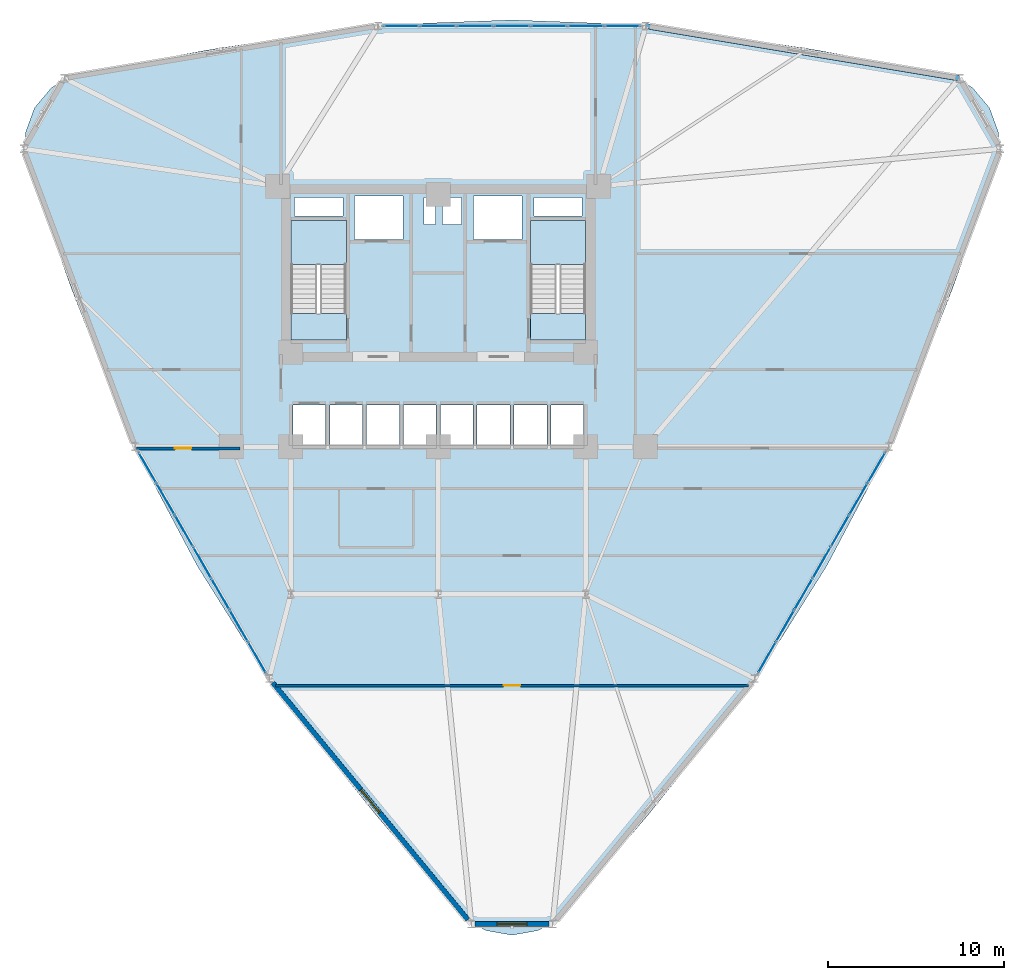
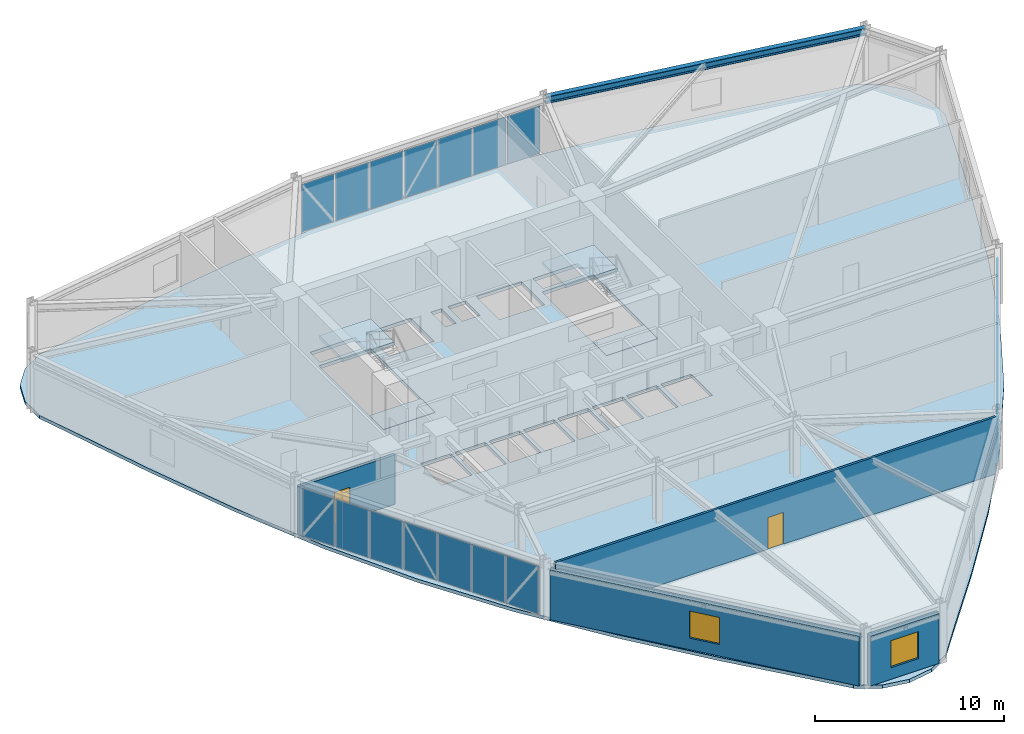
# One storey, part 13 of 20: 21 plates, 5 slabs, 4 walls, 2 doors, 2 windows, 1 beam, 4 openings, 5 elements without a shape of their own.
"""IFC4 building model written with IfcOpenShell, lengths in metres."""

import ifcopenshell
import ifcopenshell.guid

model = None  # the IFC model being written
_history = None  # IfcOwnerHistory: only IFC2X3 demands one
_inside = {}  # id of a spatial element -> (the spatial element, [elements in it])
_under = {}  # id of a project, library or spatial element -> (it, [spatial elements below it])
_declared = {}  # id of a project -> (the project, [libraries it declares])
_typed = {}  # id of a type object -> (the type object, [elements of that type])
_made_of = {}  # id of a material, layer set ... -> (it, [elements and type objects made of it])


def new_model(schema):
    """Start an empty IFC model of exactly this schema.

    Asked for "IFC4X3", IfcOpenShell would pick the latest addendum, in which some entities
    have other attributes; the version numbers below select the first issue.
    IFC2X3 requires an IfcOwnerHistory on every rooted entity: one is made here for all.
    """
    global model, _history
    if schema == "IFC4X3":
        model = ifcopenshell.file(schema_version=(4, 3, 0, 0))
    else:
        model = ifcopenshell.file(schema=schema)
    _inside.clear()
    _under.clear()
    _declared.clear()
    _typed.clear()
    _made_of.clear()
    _history = None
    if model.schema == "IFC2X3":
        org = make("IfcOrganization", Name="unknown")
        user = make(
            "IfcPersonAndOrganization",
            ThePerson=make("IfcPerson", FamilyName="unknown"),
            TheOrganization=org,
        )
        app = make(
            "IfcApplication",
            ApplicationDeveloper=org,
            Version="unknown",
            ApplicationFullName="unknown",
            ApplicationIdentifier="unknown",
        )
        _history = make(
            "IfcOwnerHistory",
            OwningUser=user,
            OwningApplication=app,
            ChangeAction="ADDED",
            CreationDate=0,
        )
    return model


def make(cls, **values):
    """One entity of the class cls with the attributes given. An attribute that is None is left unset."""
    return model.create_entity(
        cls, **{name: value for name, value in values.items() if value is not None}
    )


def rooted(cls, **values):
    """An entity with a GlobalId (a new one), such as an element, a storey or a relation."""
    return make(cls, GlobalId=ifcopenshell.guid.new(), OwnerHistory=_history, **values)


def si_unit(unit_type, name, prefix=None):
    """IfcSIUnit, for example si_unit("LENGTHUNIT", "METRE", prefix="MILLI")."""
    return make("IfcSIUnit", UnitType=unit_type, Prefix=prefix, Name=name)


def derived_unit(unit_type, elements):
    """IfcDerivedUnit: a product of units, each with its exponent."""
    return make(
        "IfcDerivedUnit",
        Elements=[
            make("IfcDerivedUnitElement", Unit=unit, Exponent=power)
            for unit, power in elements
        ],
        UnitType=unit_type,
    )


def assignment(units):
    """IfcUnitAssignment: the units of a project."""
    return None if units is None else make("IfcUnitAssignment", Units=units)


def point(xyz):
    """IfcCartesianPoint."""
    return None if xyz is None else make("IfcCartesianPoint", Coordinates=xyz)


def direction(xyz):
    """IfcDirection."""
    return None if xyz is None else make("IfcDirection", DirectionRatios=xyz)


def frame(location, z_axis=None, x_axis=None):
    """IfcAxis2Placement3D, a coordinate frame: its origin and axes. An axis left out is left unset."""
    return make(
        "IfcAxis2Placement3D",
        Location=point(location),
        Axis=direction(z_axis),
        RefDirection=direction(x_axis),
    )


def frame_2d(location, x_axis=None):
    """IfcAxis2Placement2D, a coordinate frame in the plane: its origin and x axis."""
    return make(
        "IfcAxis2Placement2D", Location=point(location), RefDirection=direction(x_axis)
    )


def origin():
    """The frame at (0, 0, 0) with its axes left unset."""
    return frame((0.0, 0.0, 0.0))


def origin_2d():
    """The frame at (0, 0) in the plane with its x axis left unset."""
    return frame_2d((0.0, 0.0))


def place(relative_to, where):
    """IfcLocalPlacement: puts the frame where relative to a parent placement (None: the world)."""
    return make(
        "IfcLocalPlacement", PlacementRelTo=relative_to, RelativePlacement=where
    )


def context(
    kind, dimensions, precision=None, world=None, true_north=None, identifier=None
):
    """IfcGeometricRepresentationContext, for example the 3D "Model" context."""
    return make(
        "IfcGeometricRepresentationContext",
        ContextIdentifier=identifier,
        ContextType=kind,
        CoordinateSpaceDimension=dimensions,
        Precision=precision,
        WorldCoordinateSystem=world,
        TrueNorth=true_north,
    )


def subcontext(parent, identifier, kind, view, scale=None):
    """IfcGeometricRepresentationSubContext, for example "Body" below "Model"."""
    return make(
        "IfcGeometricRepresentationSubContext",
        ContextIdentifier=identifier,
        ContextType=kind,
        ParentContext=parent,
        TargetScale=scale,
        TargetView=view,
    )


def project(units=None, contexts=None):
    """IfcProject with its units and contexts."""
    return rooted(
        "IfcProject",
        Name="project",
        RepresentationContexts=contexts,
        UnitsInContext=assignment(units),
    )


def spatial(cls, under=None, at=None, **own):
    """A site, building, storey or space (cls), placed at a placement, below another one or the project."""
    s = rooted(cls, ObjectPlacement=at, **own)
    if under is not None:
        _under.setdefault(under.id(), (under, []))[1].append(s)
    return s


def polyline(points):
    """IfcPolyline through the points."""
    return make("IfcPolyline", Points=[point(p) for p in points])


def profile(cls, at=None, kind="AREA", **sizes):
    """A parametric profile (cls). Its sizes go by their IFC names, for example OverallWidth=200.0."""
    return make(cls, ProfileType=kind, Position=at, **sizes)


def rectangle(**sizes):
    """IfcRectangleProfileDef."""
    return profile("IfcRectangleProfileDef", **sizes)


def i_section(**sizes):
    """IfcIShapeProfileDef."""
    return profile("IfcIShapeProfileDef", **sizes)


def outline(outer, holes=None, kind="AREA"):
    """IfcArbitraryClosedProfileDef: a profile drawn as a closed curve; with holes, ...WithVoids."""
    if holes is None:
        return make("IfcArbitraryClosedProfileDef", ProfileType=kind, OuterCurve=outer)
    return make(
        "IfcArbitraryProfileDefWithVoids",
        ProfileType=kind,
        OuterCurve=outer,
        InnerCurves=holes,
    )


def extrude(swept, where, along, depth):
    """IfcExtrudedAreaSolid: the profile swept, set in the frame where, extruded along a direction by depth."""
    return make(
        "IfcExtrudedAreaSolid",
        SweptArea=swept,
        Position=where,
        ExtrudedDirection=direction(along),
        Depth=depth,
    )


def shape(context_of_items, identifier, shape_type, items):
    """IfcShapeRepresentation: the items that make up one representation, for example the "Body"."""
    return make(
        "IfcShapeRepresentation",
        ContextOfItems=context_of_items,
        RepresentationIdentifier=identifier,
        RepresentationType=shape_type,
        Items=items,
    )


def source(mapping_origin, context_of_items, identifier, shape_type, items):
    """IfcRepresentationMap: a shape defined once, which mapped items show again and again."""
    return make(
        "IfcRepresentationMap",
        MappingOrigin=mapping_origin,
        MappedRepresentation=shape(context_of_items, identifier, shape_type, items),
    )


def transform(
    local_origin,
    x_axis=None,
    y_axis=None,
    z_axis=None,
    scale=None,
    scale2=None,
    scale3=None,
    uniform=True,
):
    """IfcCartesianTransformationOperator3D, or its non-uniform kind. x_axis, y_axis, z_axis: its Axis1, 2, 3."""
    if uniform:
        return make(
            "IfcCartesianTransformationOperator3D",
            Axis1=direction(x_axis),
            Axis2=direction(y_axis),
            LocalOrigin=point(local_origin),
            Scale=scale,
            Axis3=direction(z_axis),
        )
    return make(
        "IfcCartesianTransformationOperator3DnonUniform",
        Axis1=direction(x_axis),
        Axis2=direction(y_axis),
        LocalOrigin=point(local_origin),
        Scale=scale,
        Axis3=direction(z_axis),
        Scale2=scale2,
        Scale3=scale3,
    )


def mapped(mapping_source, mapping_target):
    """IfcMappedItem: shows the shape of a source again, moved by a transform."""
    return make(
        "IfcMappedItem", MappingSource=mapping_source, MappingTarget=mapping_target
    )


def material(Name=None, Category=None):
    """IfcMaterial."""
    return make("IfcMaterial", Name=Name, Category=Category)


def layer(
    of_material, thickness, ventilated=None, Name=None, Category=None, Priority=None
):
    """IfcMaterialLayer: one layer of a wall or slab, of a material (None: an air gap)."""
    return make(
        "IfcMaterialLayer",
        Material=of_material,
        LayerThickness=thickness,
        IsVentilated=ventilated,
        Name=Name,
        Category=Category,
        Priority=Priority,
    )


def layer_set(layers, Name=None):
    """IfcMaterialLayerSet."""
    return make("IfcMaterialLayerSet", MaterialLayers=layers, LayerSetName=Name)


def material_profile(
    of_material, cross_section, Name=None, Category=None, Priority=None
):
    """IfcMaterialProfile: a cross section and its material."""
    return make(
        "IfcMaterialProfile",
        Name=Name,
        Material=of_material,
        Profile=cross_section,
        Priority=Priority,
        Category=Category,
    )


def profile_set(profiles, Name=None, composite=None):
    """IfcMaterialProfileSet."""
    return make(
        "IfcMaterialProfileSet",
        Name=Name,
        MaterialProfiles=profiles,
        CompositeProfile=composite,
    )


def made_of(thing, what):
    """Note that an element or type object is made of a material, layer set ...; save() writes the relation."""
    if what is not None:
        _made_of.setdefault(what.id(), (what, []))[1].append(thing)
    return thing


def type_object(cls, material=None, **own):
    """A type object (cls), such as IfcWallType, which elements share."""
    return made_of(rooted(cls, **own), material)


def element(
    cls,
    number,
    at=None,
    inside=None,
    cuts=None,
    type_object=None,
    material=None,
    context=None,
    identifier="Body",
    shape_type=None,
    held_by="IfcProductDefinitionShape",
    body=None,
    shapes=None,
    **own,
):
    """One element of the class cls, such as IfcWall. Its Tag is "e" and its number.

    at: its placement. inside: the storey or other place that contains it. cuts: it is an
    opening in that element (IfcRelVoidsElement). A single representation is given by context,
    identifier, shape_type and body (its items); several are given by shapes. held_by: the class
    of the entity that holds the representations. save() writes the other relations.
    """
    e = rooted(cls, Tag="e%d" % number, ObjectPlacement=at, **own)
    if body is not None:
        shapes = [shape(context, identifier, shape_type, body)]
    if shapes is not None:
        e.Representation = make(held_by, Representations=shapes)
    if inside is not None:
        _inside.setdefault(inside.id(), (inside, []))[1].append(e)
    if cuts is not None:
        rooted(
            "IfcRelVoidsElement", RelatingBuildingElement=cuts, RelatedOpeningElement=e
        )
    if type_object is not None:
        _typed.setdefault(type_object.id(), (type_object, []))[1].append(e)
    return made_of(e, material)


def fill(opening, filler):
    """IfcRelFillsElement: the door or window that sits in an opening."""
    return rooted(
        "IfcRelFillsElement",
        RelatingOpeningElement=opening,
        RelatedBuildingElement=filler,
    )


def aggregate(whole, parts):
    """IfcRelAggregates: a whole, such as a stair, and the parts it consists of."""
    return rooted("IfcRelAggregates", RelatingObject=whole, RelatedObjects=parts)


def save(model, path):
    """Write the relations noted so far, then the file.

    IfcRelAggregates (storeys below a building ...), IfcRelContainedInSpatialStructure (elements
    in a storey), IfcRelDefinesByType, IfcRelAssociatesMaterial and IfcRelDeclares: one each for
    every whole, place, type object, material and project.
    """
    for whole, parts in _under.values():
        aggregate(whole, parts)
    for where, things in _inside.values():
        rooted(
            "IfcRelContainedInSpatialStructure",
            RelatedElements=things,
            RelatingStructure=where,
        )
    for kind, things in _typed.values():
        rooted("IfcRelDefinesByType", RelatedObjects=things, RelatingType=kind)
    for what, things in _made_of.values():
        rooted("IfcRelAssociatesMaterial", RelatedObjects=things, RelatingMaterial=what)
    for by, libraries in _declared.values():
        rooted("IfcRelDeclares", RelatingContext=by, RelatedDefinitions=libraries)
    model.write(path)


model = new_model("IFC4")

# Units and contexts
model_context = context("Model", 3, precision=1e-05, world=origin(), true_north=direction((0.0, 1.0)))
body_context = subcontext(model_context, "Body", "Model", "MODEL_VIEW")
ifc_project = project(units=[si_unit("LENGTHUNIT", "METRE"), si_unit("AREAUNIT", "SQUARE_METRE"), si_unit("VOLUMEUNIT", "CUBIC_METRE"), si_unit("PLANEANGLEUNIT", "RADIAN"), si_unit("MASSUNIT", "GRAM", prefix="KILO"), derived_unit("THERMALTRANSMITTANCEUNIT", [(si_unit("POWERUNIT", "WATT"), 1), (si_unit("LENGTHUNIT", "METRE"), -2), (si_unit("THERMODYNAMICTEMPERATUREUNIT", "KELVIN"), -1)])], contexts=[model_context])

# Site, building, storey
site_placement = place(None, origin())
site = spatial("IfcSite", under=ifc_project, at=site_placement, CompositionType="ELEMENT")
building_placement = place(site_placement, origin())
building = spatial("IfcBuilding", under=site, at=building_placement, Name="Korsvarv Bourse and Concert Hall", CompositionType="ELEMENT")
storey_placement = place(building_placement, frame((0.0, 0.0, 67.800048828125)))
storey = spatial("IfcBuildingStorey", under=building, at=storey_placement, Name="L16", CompositionType="ELEMENT", Elevation=67.800048828125)

# Beam
ifc_material_1 = material(Name="Steel S355", Category="steel")
ifc_material_profile = material_profile(ifc_material_1, i_section(OverallWidth=0.300048828125, OverallDepth=0.449951171875, WebThickness=0.013916015625, FlangeThickness=0.02587890625, FilletRadius=0.02099609375, at=origin_2d()), Name="HEB 450")
ifc_profile_set = profile_set([ifc_material_profile], Name="Steel S355")
beam_type = type_object("IfcBeamType", Name="BM-HEB450", PredefinedType="SPANDREL", material=ifc_profile_set)
shared_shape_1 = source(origin(), body_context, "Body", "SweptSolid", [
    extrude(i_section(OverallWidth=0.300048828125, OverallDepth=0.449951171875, WebThickness=0.013916015625, FlangeThickness=0.02587890625, FilletRadius=0.02099609375, at=origin_2d()), origin(), (0.0, 0.0, 1.0), 18.117431640625),
])
beam_placement = place(storey_placement, frame((65.69775390625, 53.398681640625, 3.454833984375), z_axis=(-0.986398293879, 0.164372764873, 0.0), x_axis=(-0.164372764873, -0.986398293879, 0.0)))
element("IfcBeam", 1, at=beam_placement, inside=storey, type_object=beam_type, Name="L16 beam B-08", PredefinedType="SPANDREL", context=body_context, shape_type="MappedRepresentation", body=[
    mapped(shared_shape_1, transform((0.0, 0.0, 0.0), scale=1.0)),
])

# Slabs
ifc_material_2 = material(Name="Precast concrete C45/55", Category="concrete")
ifc_layer_1 = layer(ifc_material_2, 0.199951171875)
ifc_layer_set_1 = layer_set([ifc_layer_1], Name="Precast concrete C45/55")
slab_type_1 = type_object("IfcSlabType", Name="SLB-FLND-T", PredefinedType="LANDING", material=ifc_layer_set_1)
slab_1_placement = place(storey_placement, frame((0.0, 0.0, -0.199951171875)))
element("IfcSlab", 2, at=slab_1_placement, inside=storey, type_object=slab_type_1, Name="L16 Stair ST-T1 Floor Landing Slab", PredefinedType="LANDING", context=body_context, shape_type="SweptSolid", body=[
    extrude(outline(polyline([(30.760009765625, 38.5), (30.760009765625, 40.0), (27.60009765625, 40.0), (27.60009765625, 38.5), (30.760009765625, 38.5)])), origin(), (0.0, 0.0, 1.0), 0.199951171875),
])
slab_2_placement = place(storey_placement, frame((0.0, 0.0, -0.199951171875)))
element("IfcSlab", 3, at=slab_2_placement, inside=storey, type_object=slab_type_1, Name="L16 Stair ST-T2 Floor Landing Slab", PredefinedType="LANDING", context=body_context, shape_type="SweptSolid", body=[
    extrude(outline(polyline([(44.39990234375, 38.5), (44.39990234375, 40.0), (41.239990234375, 40.0), (41.239990234375, 38.5), (44.39990234375, 38.5)])), origin(), (0.0, 0.0, 1.0), 0.199951171875),
])

# Stair, slab
stair_type = type_object("IfcStairType", Name="STR-TYPE-03", PredefinedType="HALF_TURN_STAIR", material=ifc_material_2)
stair_1_placement = place(storey_placement, origin())
stair_1 = element("IfcStair", 4, at=stair_1_placement, inside=storey, type_object=stair_type, Name="L16 Tower West Exit Stair ST-T1", PredefinedType="HALF_TURN_STAIR")
ifc_layer_2 = layer(ifc_material_2, 0.199951171875)
ifc_layer_set_2 = layer_set([ifc_layer_2], Name="Precast concrete C45/55")
slab_type_2 = type_object("IfcSlabType", Name="SLB-ST-LND", PredefinedType="LANDING", material=ifc_layer_set_2)
slab_3_placement = place(storey_placement, frame((0.0, 0.0, 1.75)))
slab_3 = element("IfcSlab", 5, at=slab_3_placement, type_object=slab_type_2, Name="ST-T1 landing 1", PredefinedType="LANDING", context=body_context, shape_type="SweptSolid", body=[
    extrude(outline(polyline([(30.760009765625, 42.800048828125), (30.760009765625, 45.300048828125), (27.60009765625, 45.300048828125), (27.60009765625, 42.800048828125), (30.760009765625, 42.800048828125)])), origin(), (0.0, 0.0, 1.0), 0.199951171875),
])
aggregate(stair_1, [slab_3])

stair_2_placement = place(storey_placement, origin())
stair_2 = element("IfcStair", 6, at=stair_2_placement, inside=storey, type_object=stair_type, Name="L16 Tower East Exit Stair ST-T2", PredefinedType="HALF_TURN_STAIR")
slab_4_placement = place(storey_placement, frame((0.0, 0.0, 1.75)))
slab_4 = element("IfcSlab", 7, at=slab_4_placement, type_object=slab_type_2, Name="ST-T2 landing 1", PredefinedType="LANDING", context=body_context, shape_type="SweptSolid", body=[
    extrude(outline(polyline([(44.39990234375, 42.800048828125), (44.39990234375, 45.300048828125), (41.239990234375, 45.300048828125), (41.239990234375, 42.800048828125), (44.39990234375, 42.800048828125)])), origin(), (0.0, 0.0, 1.0), 0.199951171875),
])
aggregate(stair_2, [slab_4])

# Slab
ifc_material_3 = material(Name="Concrete C45/55", Category="concrete")
ifc_layer_3 = layer(ifc_material_3, 0.219970703125)
ifc_layer_set_3 = layer_set([ifc_layer_3], Name="Concrete C45/55")
slab_type_3 = type_object("IfcSlabType", Name="SLB-TW1", PredefinedType="FLOOR", material=ifc_layer_set_3)
slab_5_placement = place(storey_placement, frame((0.0, 0.0, -0.219970703125)))
element("IfcSlab", 8, at=slab_5_placement, inside=storey, type_object=slab_type_3, Name="L16 tower structural floor slab", PredefinedType="FLOOR", context=body_context, shape_type="SweptSolid", body=[
    extrude(outline(polyline([(67.3515625, 47.177734375), (65.35986328125, 41.58203125), (63.234619140625, 36.088623046875), (60.8564453125, 30.76220703125), (58.1435546875, 25.64013671875), (55.064453125, 20.72998046875), (51.640380859375, 16.007080078125), (47.94580078125, 11.419921875), (44.095703125, 6.897216796875), (44.091552734375, 6.892333984375), (43.014404296875, 5.608642578125), (41.697509765625, 4.848388671875), (40.199951171875, 4.58447265625), (38.702392578125, 4.848388671875), (37.385498046875, 5.608642578125), (36.308349609375, 6.892333984375), (36.304443359375, 6.897216796875), (32.4541015625, 11.419921875), (28.759521484375, 16.007080078125), (25.335693359375, 20.72998046875), (22.25634765625, 25.64013671875), (19.543701171875, 30.76220703125), (17.165283203125, 36.088623046875), (15.040283203125, 41.58203125), (13.04833984375, 47.177734375), (13.04638671875, 47.18359375), (12.47314453125, 48.75830078125), (12.47314453125, 50.27880859375), (12.993408203125, 51.707763671875), (13.970703125, 52.872802734375), (15.28759765625, 53.633056640625), (16.93798828125, 53.924072265625), (16.944091796875, 53.925048828125), (22.785888671875, 54.998046875), (28.605712890625, 55.904296875), (34.407958984375, 56.5078125), (40.199951171875, 56.719482421875), (45.991943359375, 56.5078125), (51.794189453125, 55.904296875), (57.614013671875, 54.998046875), (63.455810546875, 53.925048828125), (63.462158203125, 53.924072265625), (65.1123046875, 53.633056640625), (66.42919921875, 52.872802734375), (67.40673828125, 51.707763671875), (67.9267578125, 50.27880859375), (67.9267578125, 48.75830078125), (67.353759765625, 47.18359375), (67.3515625, 47.177734375)]), holes=[polyline([(30.760009765625, 38.5), (30.760009765625, 45.300048828125), (27.60009765625, 45.300048828125), (27.60009765625, 38.5), (30.760009765625, 38.5)]), polyline([(44.39990234375, 38.5), (44.39990234375, 45.300048828125), (41.239990234375, 45.300048828125), (41.239990234375, 38.5), (44.39990234375, 38.5)]), polyline([(31.239990234375, 44.219970703125), (34.0, 44.219970703125), (34.0, 46.679931640625), (31.239990234375, 46.679931640625), (31.239990234375, 44.219970703125)]), polyline([(38.0, 44.219970703125), (40.760009765625, 44.219970703125), (40.760009765625, 46.679931640625), (38.0, 46.679931640625), (38.0, 44.219970703125)]), polyline([(27.719970703125, 32.52001953125), (29.580078125, 32.52001953125), (29.580078125, 34.780029296875), (27.719970703125, 34.780029296875), (27.719970703125, 32.52001953125)]), polyline([(29.820068359375, 32.52001953125), (31.679931640625, 32.52001953125), (31.679931640625, 34.780029296875), (29.820068359375, 34.780029296875), (29.820068359375, 32.52001953125)]), polyline([(31.919921875, 32.52001953125), (33.780029296875, 32.52001953125), (33.780029296875, 34.780029296875), (31.919921875, 34.780029296875), (31.919921875, 32.52001953125)]), polyline([(34.02001953125, 32.52001953125), (35.8798828125, 32.52001953125), (35.8798828125, 34.780029296875), (34.02001953125, 34.780029296875), (34.02001953125, 32.52001953125)]), polyline([(36.1201171875, 32.52001953125), (37.97998046875, 32.52001953125), (37.97998046875, 34.780029296875), (36.1201171875, 34.780029296875), (36.1201171875, 32.52001953125)]), polyline([(38.219970703125, 32.52001953125), (40.080078125, 32.52001953125), (40.080078125, 34.780029296875), (38.219970703125, 34.780029296875), (38.219970703125, 32.52001953125)]), polyline([(40.320068359375, 32.52001953125), (42.179931640625, 32.52001953125), (42.179931640625, 34.780029296875), (40.320068359375, 34.780029296875), (40.320068359375, 32.52001953125)]), polyline([(42.419921875, 32.52001953125), (44.280029296875, 32.52001953125), (44.280029296875, 34.780029296875), (42.419921875, 34.780029296875), (42.419921875, 32.52001953125)]), polyline([(27.800048828125, 45.56005859375), (30.56005859375, 45.56005859375), (30.56005859375, 46.6201171875), (27.800048828125, 46.6201171875), (27.800048828125, 45.56005859375)]), polyline([(41.43994140625, 45.56005859375), (44.199951171875, 45.56005859375), (44.199951171875, 46.6201171875), (41.43994140625, 46.6201171875), (41.43994140625, 45.56005859375)]), polyline([(35.199951171875, 45.080078125), (35.840087890625, 45.080078125), (35.840087890625, 46.6201171875), (35.199951171875, 46.6201171875), (35.199951171875, 45.080078125)]), polyline([(36.239990234375, 45.080078125), (37.320068359375, 45.080078125), (37.320068359375, 46.6201171875), (36.239990234375, 46.6201171875), (36.239990234375, 45.080078125)])]), origin(), (0.0, 0.0, 1.0), 0.219970703125),
])

# Curtain wall, plates
ifc_material_4 = material(Name="Anodised aluminium and triple low-E glazing", Category="glass")
ifc_layer_4 = layer(ifc_material_4, 0.219970703125)
ifc_layer_set_4 = layer_set([ifc_layer_4], Name="Anodised aluminium and triple low-E glazing")
curtain_wall_type = type_object("IfcCurtainWallType", Name="CW-SYS-1", PredefinedType="NOTDEFINED", material=ifc_layer_set_4)
curtain_wall_1_placement = place(storey_placement, origin())
curtain_wall_1 = element("IfcCurtainWall", 9, at=curtain_wall_1_placement, inside=storey, type_object=curtain_wall_type, Name="L16 CW1 curtain wall CW-L16-F03", PredefinedType="NOTDEFINED")
ifc_material_5 = material(Name="Insulated spandrel glass", Category="glass")
ifc_layer_5 = layer(ifc_material_5, 0.031982421875)
ifc_layer_set_5 = layer_set([ifc_layer_5], Name="Insulated spandrel glass")
plate_type_1 = type_object("IfcPlateType", Name="CWP-SPD1", PredefinedType="CURTAIN_PANEL", material=ifc_layer_set_5)
shared_shape_2 = source(origin(), body_context, "Body", "SweptSolid", [
    extrude(rectangle(XDim=1.999267578125, YDim=0.031982421875, at=origin_2d()), origin(), (0.0, 0.0, 1.0), 3.10009765625),
])
plate_1_placement = place(storey_placement, frame((46.4951171875, 56.376708984375, 0.06494140625), z_axis=(0.0, 0.0, 1.0), x_axis=(-1.0, 0.0, 0.0)))
plate_1 = element("IfcPlate", 10, at=plate_1_placement, type_object=plate_type_1, Name="CW1 spandrel shadow-box panel 1.1", PredefinedType="CURTAIN_PANEL", context=body_context, shape_type="MappedRepresentation", body=[
    mapped(shared_shape_2, transform((0.0, 0.0, 0.0), scale=1.0)),
])
plate_2_placement = place(storey_placement, frame((33.90478515625, 56.376708984375, 0.06494140625), z_axis=(0.0, 0.0, 1.0), x_axis=(-1.0, 0.0, 0.0)))
plate_2 = element("IfcPlate", 11, at=plate_2_placement, type_object=plate_type_1, Name="CW1 spandrel shadow-box panel 7.1", PredefinedType="CURTAIN_PANEL", context=body_context, shape_type="MappedRepresentation", body=[
    mapped(shared_shape_2, transform((0.0, 0.0, 0.0), scale=1.0)),
])
ifc_material_6 = material(Name="Tempered triple insulated low-E architectural glass", Category="glass")
ifc_layer_6 = layer(ifc_material_6, 0.035888671875)
ifc_layer_set_6 = layer_set([ifc_layer_6], Name="Tempered triple insulated low-E architectural glass")
plate_type_2 = type_object("IfcPlateType", Name="CWP-VIS1", PredefinedType="CURTAIN_PANEL", material=ifc_layer_set_6)
shared_shape_3 = source(origin(), body_context, "Body", "SweptSolid", [
    extrude(rectangle(XDim=2.0341796875, YDim=0.035888671875, at=origin_2d()), origin(), (0.0, 0.0, 1.0), 3.10009765625),
])
plate_3_placement = place(storey_placement, frame((44.408447265625, 56.376708984375, 0.06494140625), z_axis=(0.0, 0.0, 1.0), x_axis=(-1.0, 0.0, 0.0)))
plate_3 = element("IfcPlate", 12, at=plate_3_placement, type_object=plate_type_2, Name="CW1 faceted panel 2.1", PredefinedType="CURTAIN_PANEL", context=body_context, shape_type="MappedRepresentation", body=[
    mapped(shared_shape_3, transform((0.0, 0.0, 0.0), scale=1.0)),
])
plate_4_placement = place(storey_placement, frame((42.30419921875, 56.376708984375, 0.06494140625), z_axis=(0.0, 0.0, 1.0), x_axis=(-1.0, 0.0, 0.0)))
plate_4 = element("IfcPlate", 13, at=plate_4_placement, type_object=plate_type_2, Name="CW1 faceted panel 3.1", PredefinedType="CURTAIN_PANEL", context=body_context, shape_type="MappedRepresentation", body=[
    mapped(shared_shape_3, transform((0.0, 0.0, 0.0), scale=1.0)),
])
plate_5_placement = place(storey_placement, frame((38.095703125, 56.376708984375, 0.06494140625), z_axis=(0.0, 0.0, 1.0), x_axis=(-1.0, 0.0, 0.0)))
plate_5 = element("IfcPlate", 14, at=plate_5_placement, type_object=plate_type_2, Name="CW1 faceted panel 5.1", PredefinedType="CURTAIN_PANEL", context=body_context, shape_type="MappedRepresentation", body=[
    mapped(shared_shape_3, transform((0.0, 0.0, 0.0), scale=1.0)),
])
plate_6_placement = place(storey_placement, frame((35.99169921875, 56.376708984375, 0.06494140625), z_axis=(0.0, 0.0, 1.0), x_axis=(-1.0, 0.0, 0.0)))
plate_6 = element("IfcPlate", 15, at=plate_6_placement, type_object=plate_type_2, Name="CW1 faceted panel 6.1", PredefinedType="CURTAIN_PANEL", context=body_context, shape_type="MappedRepresentation", body=[
    mapped(shared_shape_3, transform((0.0, 0.0, 0.0), scale=1.0)),
])
shared_shape_4 = source(origin(), body_context, "Body", "SweptSolid", [
    extrude(rectangle(XDim=2.0341796875, YDim=0.031982421875, at=origin_2d()), origin(), (0.0, 0.0, 1.0), 3.10009765625),
])
plate_7_placement = place(storey_placement, frame((40.199951171875, 56.376708984375, 0.06494140625), z_axis=(0.0, 0.0, 1.0), x_axis=(-1.0, 0.0, 0.0)))
plate_7 = element("IfcPlate", 16, at=plate_7_placement, type_object=plate_type_1, Name="CW1 spandrel shadow-box panel 4.1", PredefinedType="CURTAIN_PANEL", context=body_context, shape_type="MappedRepresentation", body=[
    mapped(shared_shape_4, transform((0.0, 0.0, 0.0), scale=1.0)),
])
aggregate(curtain_wall_1, [plate_1, plate_3, plate_4, plate_7, plate_5, plate_6, plate_2])

curtain_wall_2_placement = place(storey_placement, origin())
curtain_wall_2 = element("IfcCurtainWall", 17, at=curtain_wall_2_placement, inside=storey, type_object=curtain_wall_type, Name="L16 CW1 curtain wall CW-L16-F07", PredefinedType="NOTDEFINED")
shared_shape_5 = source(origin(), body_context, "Body", "SweptSolid", [
    extrude(rectangle(XDim=1.9794921875, YDim=0.031982421875, at=origin_2d()), origin(), (0.0, 0.0, 1.0), 3.10009765625),
])
plate_8_placement = place(storey_placement, frame((19.435302734375, 31.211669921875, 0.06494140625), z_axis=(0.0, 0.0, 1.0), x_axis=(0.500006038217, -0.86602191759, 0.0)))
plate_8 = element("IfcPlate", 18, at=plate_8_placement, type_object=plate_type_1, Name="CW1 spandrel shadow-box panel 1.1", PredefinedType="CURTAIN_PANEL", context=body_context, shape_type="MappedRepresentation", body=[
    mapped(shared_shape_5, transform((0.0, 0.0, 0.0), scale=1.0)),
])
plate_9_placement = place(storey_placement, frame((25.671142578125, 20.411376953125, 0.06494140625), z_axis=(0.0, 0.0, 1.0), x_axis=(0.500006038217, -0.86602191759, 0.0)))
plate_9 = element("IfcPlate", 19, at=plate_9_placement, type_object=plate_type_1, Name="CW1 spandrel shadow-box panel 7.1", PredefinedType="CURTAIN_PANEL", context=body_context, shape_type="MappedRepresentation", body=[
    mapped(shared_shape_5, transform((0.0, 0.0, 0.0), scale=1.0)),
])

curtain_wall_3_placement = place(storey_placement, origin())
curtain_wall_3 = element("IfcCurtainWall", 20, at=curtain_wall_3_placement, inside=storey, type_object=curtain_wall_type, Name="L16 CW1 curtain wall CW-L16-F11", PredefinedType="NOTDEFINED")
plate_10_placement = place(storey_placement, frame((54.72900390625, 20.411376953125, 0.06494140625), z_axis=(0.0, 0.0, 1.0), x_axis=(0.500006038217, 0.86602191759, 0.0)))
plate_10 = element("IfcPlate", 21, at=plate_10_placement, type_object=plate_type_1, Name="CW1 spandrel shadow-box panel 1.1", PredefinedType="CURTAIN_PANEL", context=body_context, shape_type="MappedRepresentation", body=[
    mapped(shared_shape_5, transform((0.0, 0.0, 0.0), scale=1.0)),
])
plate_11_placement = place(storey_placement, frame((60.964599609375, 31.211669921875, 0.06494140625), z_axis=(0.0, 0.0, 1.0), x_axis=(0.500006038217, 0.86602191759, 0.0)))
plate_11 = element("IfcPlate", 22, at=plate_11_placement, type_object=plate_type_1, Name="CW1 spandrel shadow-box panel 7.1", PredefinedType="CURTAIN_PANEL", context=body_context, shape_type="MappedRepresentation", body=[
    mapped(shared_shape_5, transform((0.0, 0.0, 0.0), scale=1.0)),
])

# Plate
shared_shape_6 = source(origin(), body_context, "Body", "SweptSolid", [
    extrude(rectangle(XDim=2.014404296875, YDim=0.035888671875, at=origin_2d()), origin(), (0.0, 0.0, 1.0), 3.10009765625),
])
plate_12_placement = place(storey_placement, frame((20.46875, 29.421875, 0.06494140625), z_axis=(0.0, 0.0, 1.0), x_axis=(0.500006038217, -0.86602191759, 0.0)))
plate_12 = element("IfcPlate", 23, at=plate_12_placement, type_object=plate_type_2, Name="CW1 faceted panel 2.1", PredefinedType="CURTAIN_PANEL", context=body_context, shape_type="MappedRepresentation", body=[
    mapped(shared_shape_6, transform((0.0, 0.0, 0.0), scale=1.0)),
])

plate_13_placement = place(storey_placement, frame((21.510986328125, 27.61669921875, 0.06494140625), z_axis=(0.0, 0.0, 1.0), x_axis=(0.500006038217, -0.86602191759, 0.0)))
plate_13 = element("IfcPlate", 24, at=plate_13_placement, type_object=plate_type_2, Name="CW1 faceted panel 3.1", PredefinedType="CURTAIN_PANEL", context=body_context, shape_type="MappedRepresentation", body=[
    mapped(shared_shape_6, transform((0.0, 0.0, 0.0), scale=1.0)),
])

plate_14_placement = place(storey_placement, frame((23.595458984375, 24.006591796875, 0.06494140625), z_axis=(0.0, 0.0, 1.0), x_axis=(0.500006038217, -0.86602191759, 0.0)))
plate_14 = element("IfcPlate", 25, at=plate_14_placement, type_object=plate_type_2, Name="CW1 faceted panel 5.1", PredefinedType="CURTAIN_PANEL", context=body_context, shape_type="MappedRepresentation", body=[
    mapped(shared_shape_6, transform((0.0, 0.0, 0.0), scale=1.0)),
])

plate_15_placement = place(storey_placement, frame((24.6376953125, 22.201416015625, 0.06494140625), z_axis=(0.0, 0.0, 1.0), x_axis=(0.500006038217, -0.86602191759, 0.0)))
plate_15 = element("IfcPlate", 26, at=plate_15_placement, type_object=plate_type_2, Name="CW1 faceted panel 6.1", PredefinedType="CURTAIN_PANEL", context=body_context, shape_type="MappedRepresentation", body=[
    mapped(shared_shape_6, transform((0.0, 0.0, 0.0), scale=1.0)),
])

plate_16_placement = place(storey_placement, frame((55.762451171875, 22.201416015625, 0.06494140625), z_axis=(0.0, 0.0, 1.0), x_axis=(0.500006038217, 0.86602191759, 0.0)))
plate_16 = element("IfcPlate", 27, at=plate_16_placement, type_object=plate_type_2, Name="CW1 faceted panel 2.1", PredefinedType="CURTAIN_PANEL", context=body_context, shape_type="MappedRepresentation", body=[
    mapped(shared_shape_6, transform((0.0, 0.0, 0.0), scale=1.0)),
])

plate_17_placement = place(storey_placement, frame((56.8046875, 24.006591796875, 0.06494140625), z_axis=(0.0, 0.0, 1.0), x_axis=(0.500006038217, 0.86602191759, 0.0)))
plate_17 = element("IfcPlate", 28, at=plate_17_placement, type_object=plate_type_2, Name="CW1 faceted panel 3.1", PredefinedType="CURTAIN_PANEL", context=body_context, shape_type="MappedRepresentation", body=[
    mapped(shared_shape_6, transform((0.0, 0.0, 0.0), scale=1.0)),
])

plate_18_placement = place(storey_placement, frame((58.888916015625, 27.61669921875, 0.06494140625), z_axis=(0.0, 0.0, 1.0), x_axis=(0.500006038217, 0.86602191759, 0.0)))
plate_18 = element("IfcPlate", 29, at=plate_18_placement, type_object=plate_type_2, Name="CW1 faceted panel 5.1", PredefinedType="CURTAIN_PANEL", context=body_context, shape_type="MappedRepresentation", body=[
    mapped(shared_shape_6, transform((0.0, 0.0, 0.0), scale=1.0)),
])

plate_19_placement = place(storey_placement, frame((59.93115234375, 29.421875, 0.06494140625), z_axis=(0.0, 0.0, 1.0), x_axis=(0.500006038217, 0.86602191759, 0.0)))
plate_19 = element("IfcPlate", 30, at=plate_19_placement, type_object=plate_type_2, Name="CW1 faceted panel 6.1", PredefinedType="CURTAIN_PANEL", context=body_context, shape_type="MappedRepresentation", body=[
    mapped(shared_shape_6, transform((0.0, 0.0, 0.0), scale=1.0)),
])

shared_shape_7 = source(origin(), body_context, "Body", "SweptSolid", [
    extrude(rectangle(XDim=2.014404296875, YDim=0.031982421875, at=origin_2d()), origin(), (0.0, 0.0, 1.0), 3.10009765625),
])
plate_20_placement = place(storey_placement, frame((22.55322265625, 25.8115234375, 0.06494140625), z_axis=(0.0, 0.0, 1.0), x_axis=(0.500006038217, -0.86602191759, 0.0)))
plate_20 = element("IfcPlate", 31, at=plate_20_placement, type_object=plate_type_1, Name="CW1 spandrel shadow-box panel 4.1", PredefinedType="CURTAIN_PANEL", context=body_context, shape_type="MappedRepresentation", body=[
    mapped(shared_shape_7, transform((0.0, 0.0, 0.0), scale=1.0)),
])

aggregate(curtain_wall_2, [plate_8, plate_12, plate_13, plate_20, plate_14, plate_15, plate_9])

plate_21_placement = place(storey_placement, frame((57.8466796875, 25.8115234375, 0.06494140625), z_axis=(0.0, 0.0, 1.0), x_axis=(0.500006038217, 0.86602191759, 0.0)))
plate_21 = element("IfcPlate", 32, at=plate_21_placement, type_object=plate_type_1, Name="CW1 spandrel shadow-box panel 4.1", PredefinedType="CURTAIN_PANEL", context=body_context, shape_type="MappedRepresentation", body=[
    mapped(shared_shape_7, transform((0.0, 0.0, 0.0), scale=1.0)),
])

aggregate(curtain_wall_3, [plate_10, plate_16, plate_17, plate_21, plate_18, plate_19, plate_11])

# Wall, opening, window
ifc_material_7 = material(Name="Precast concrete C45/55 with terracotta rainscreen", Category="concrete")
ifc_layer_7 = layer(ifc_material_7, 0.300048828125)
ifc_layer_set_7 = layer_set([ifc_layer_7], Name="Precast concrete C45/55 with terracotta rainscreen")
wall_type_1 = type_object("IfcWallType", Name="WL-EXT-TC1", PredefinedType="SOLIDWALL", material=ifc_layer_set_7)
wall_1_placement = place(storey_placement, frame((38.097900390625, 5.218994140625, 0.0), z_axis=(0.0, 0.0, 1.0), x_axis=(1.0, 0.0, 0.0)))
wall_1 = element("IfcWall", 33, at=wall_1_placement, inside=storey, type_object=wall_type_1, Name="L16 terracotta exterior wall EW-L16-B09", PredefinedType="SOLIDWALL", context=body_context, shape_type="SweptSolid", body=[
    extrude(rectangle(XDim=4.2041015625, YDim=0.300048828125, at=frame_2d((2.10205078125, 0.0))), origin(), (0.0, 0.0, 1.0), 3.22998046875),
])
opening_1_placement = place(wall_1_placement, frame((1.251953125, 0.0, 0.75)))
opening_1 = element("IfcOpeningElement", 34, at=opening_1_placement, cuts=wall_1, Name="Opening W-01", PredefinedType="OPENING", context=body_context, shape_type="SweptSolid", body=[
    extrude(rectangle(XDim=1.699951171875, YDim=1.75, at=frame_2d((0.85009765625, 0.875))), frame((0.0, 0.16015625, 0.0), z_axis=(0.0, -1.0, 0.0), x_axis=(1.0, 0.0, 0.0)), (0.0, 0.0, 1.0), 0.320068359375),
])
ifc_material_8 = material(Name="Thermally broken aluminium frame with triple low-E glass", Category="glass")
window_type = type_object("IfcWindowType", Name="WIN-TW1", PartitioningType="SINGLE_PANEL", PredefinedType="WINDOW", material=ifc_material_8)
window_1_placement = place(opening_1_placement, origin())
window_1 = element("IfcWindow", 35, at=window_1_placement, inside=storey, type_object=window_type, Name="L16 punched facade window W-01", OverallHeight=1.75, OverallWidth=1.699951171875, PartitioningType="SINGLE_PANEL", PredefinedType="WINDOW", context=body_context, shape_type="SweptSolid", body=[
    extrude(rectangle(XDim=1.699951171875, YDim=1.75, at=frame_2d((0.85009765625, 0.875))), frame((0.0, 0.030029296875, 0.0), z_axis=(0.0, -1.0, 0.0), x_axis=(1.0, 0.0, 0.0)), (0.0, 0.0, 1.0), 0.06005859375),
])
fill(opening_1, window_1)

ifc_material_9 = material(Name="Precast concrete C45/55 with fluted terracotta pier", Category="concrete")
ifc_layer_8 = layer(ifc_material_9, 0.280029296875)
ifc_layer_set_8 = layer_set([ifc_layer_8], Name="Precast concrete C45/55 with fluted terracotta pier")
wall_type_2 = type_object("IfcWallType", Name="WL-EXT-TC2", PredefinedType="SOLIDWALL", material=ifc_layer_set_8)
wall_2_placement = place(storey_placement, frame((26.56591796875, 18.964599609375, 0.0), z_axis=(0.0, 0.0, 1.0), x_axis=(0.635547248194, -0.772061976342, 0.0)))
wall_2 = element("IfcWall", 36, at=wall_2_placement, inside=storey, type_object=wall_type_2, Name="L16 terracotta exterior wall EW-L16-B08", PredefinedType="SOLIDWALL", context=body_context, shape_type="SweptSolid", body=[
    extrude(rectangle(XDim=17.490478515625, YDim=0.280029296875, at=frame_2d((8.7451171875, 0.0))), origin(), (0.0, 0.0, 1.0), 3.22998046875),
])
opening_2_placement = place(wall_2_placement, frame((7.895263671875, 0.0, 0.75)))
opening_2 = element("IfcOpeningElement", 37, at=opening_2_placement, cuts=wall_2, Name="Opening W-01", PredefinedType="OPENING", context=body_context, shape_type="SweptSolid", body=[
    extrude(rectangle(XDim=1.699951171875, YDim=1.75, at=frame_2d((0.85009765625, 0.875))), frame((0.0, 0.14990234375, 0.0), z_axis=(0.0, -1.0, 0.0), x_axis=(1.0, 0.0, 0.0)), (0.0, 0.0, 1.0), 0.300048828125),
])
window_2_placement = place(opening_2_placement, origin())
window_2 = element("IfcWindow", 38, at=window_2_placement, inside=storey, type_object=window_type, Name="L16 punched facade window W-01", OverallHeight=1.75, OverallWidth=1.699951171875, PartitioningType="SINGLE_PANEL", PredefinedType="WINDOW", context=body_context, shape_type="SweptSolid", body=[
    extrude(rectangle(XDim=1.699951171875, YDim=1.75, at=frame_2d((0.85009765625, 0.875))), frame((0.0, 0.030029296875, 0.0), z_axis=(0.0, -1.0, 0.0), x_axis=(1.0, 0.0, 0.0)), (0.0, 0.0, 1.0), 0.06005859375),
])
fill(opening_2, window_2)

# Wall, opening, door
ifc_material_10 = material(Name="Double-stud fire-rated acoustic partition", Category="gypsum")
ifc_layer_9 = layer(ifc_material_10, 0.159912109375)
ifc_layer_set_9 = layer_set([ifc_layer_9], Name="Double-stud fire-rated acoustic partition")
wall_type_3 = type_object("IfcWallType", Name="WL-INT-EI60", PredefinedType="PARTITIONING", material=ifc_layer_set_9)
wall_3_placement = place(storey_placement, frame((18.818359375, 32.31494140625, 0.0), z_axis=(0.0, 0.0, 1.0), x_axis=(1.0, 0.0, 0.0)))
wall_3 = element("IfcWall", 39, at=wall_3_placement, inside=storey, type_object=wall_type_3, Name="L16 interior partition wall W-L16-TCOR-07", PredefinedType="PARTITIONING", context=body_context, shape_type="SweptSolid", body=[
    extrude(rectangle(XDim=5.874755859375, YDim=0.159912109375, at=frame_2d((2.9375, 0.0))), origin(), (0.0, 0.0, 1.0), 3.179931640625),
])
opening_3_placement = place(wall_3_placement, frame((2.17236328125, 0.0, 0.0)))
opening_3 = element("IfcOpeningElement", 40, at=opening_3_placement, cuts=wall_3, Name="Opening D-02", PredefinedType="OPENING", context=body_context, shape_type="SweptSolid", body=[
    extrude(rectangle(XDim=0.949951171875, YDim=2.050048828125, at=frame_2d((0.47509765625, 1.02490234375))), frame((0.0, 0.08984375, 0.0), z_axis=(0.0, -1.0, 0.0), x_axis=(1.0, 0.0, 0.0)), (0.0, 0.0, 1.0), 0.179931640625),
])
ifc_material_11 = material(Name="Timber and steel acoustic fire door", Category="wood")
door_type_1 = type_object("IfcDoorType", Name="DR-FD30", OperationType="NOTDEFINED", PredefinedType="DOOR", material=ifc_material_11)
door_1_placement = place(opening_3_placement, origin())
door_1 = element("IfcDoor", 41, at=door_1_placement, inside=storey, type_object=door_type_1, Name="L16 interior door DR-L16-TCOR-QT48", OperationType="SINGLE_SWING_LEFT", OverallHeight=2.050048828125, OverallWidth=0.949951171875, PredefinedType="DOOR", context=body_context, shape_type="SweptSolid", body=[
    extrude(rectangle(XDim=0.949951171875, YDim=2.050048828125, at=frame_2d((0.47509765625, 1.02490234375))), frame((0.0, 0.02490234375, 0.0), z_axis=(0.0, -1.0, 0.0), x_axis=(1.0, 0.0, 0.0)), (0.0, 0.0, 1.0), 0.050048828125),
])
fill(opening_3, door_1)

ifc_material_12 = material(Name="Insulated steel-stud office acoustic partition", Category="gypsum")
ifc_layer_10 = layer(ifc_material_12, 0.139892578125)
ifc_layer_set_10 = layer_set([ifc_layer_10], Name="Insulated steel-stud office acoustic partition")
wall_type_4 = type_object("IfcWallType", Name="WL-INT-P1", PredefinedType="PARTITIONING", material=ifc_layer_set_10)
wall_4_placement = place(storey_placement, frame((26.71728515625, 18.804931640625, 0.0), z_axis=(0.0, 0.0, 1.0), x_axis=(1.0, 0.0, 0.0)))
wall_4 = element("IfcWall", 42, at=wall_4_placement, inside=storey, type_object=wall_type_4, Name="L16 interior partition wall W-L16-TCOR-09", PredefinedType="PARTITIONING", context=body_context, shape_type="SweptSolid", body=[
    extrude(rectangle(XDim=26.96533203125, YDim=0.139892578125, at=frame_2d((13.482666015625, 0.0))), origin(), (0.0, 0.0, 1.0), 3.679931640625),
])
opening_4_placement = place(wall_4_placement, frame((13.0078125, 0.0, 0.0)))
opening_4 = element("IfcOpeningElement", 43, at=opening_4_placement, cuts=wall_4, Name="Opening D-03", PredefinedType="OPENING", context=body_context, shape_type="SweptSolid", body=[
    extrude(rectangle(XDim=0.949951171875, YDim=2.050048828125, at=frame_2d((0.47509765625, 1.02490234375))), frame((0.0, 0.080078125, 0.0), z_axis=(0.0, -1.0, 0.0), x_axis=(1.0, 0.0, 0.0)), (0.0, 0.0, 1.0), 0.159912109375),
])
ifc_material_13 = material(Name="Nordic oak acoustic office door", Category="wood")
door_type_2 = type_object("IfcDoorType", Name="DR-INT-1", OperationType="NOTDEFINED", PredefinedType="DOOR", material=ifc_material_13)
door_2_placement = place(opening_4_placement, origin())
door_2 = element("IfcDoor", 44, at=door_2_placement, inside=storey, type_object=door_type_2, Name="L16 interior door DR-L16-TCOR-QT34", OperationType="SINGLE_SWING_LEFT", OverallHeight=2.050048828125, OverallWidth=0.949951171875, PredefinedType="DOOR", context=body_context, shape_type="SweptSolid", body=[
    extrude(rectangle(XDim=0.949951171875, YDim=2.050048828125, at=frame_2d((0.47509765625, 1.02490234375))), frame((0.0, 0.02490234375, 0.0), z_axis=(0.0, -1.0, 0.0), x_axis=(1.0, 0.0, 0.0)), (0.0, 0.0, 1.0), 0.050048828125),
])
fill(opening_4, door_2)

save(model, "model.ifc")
